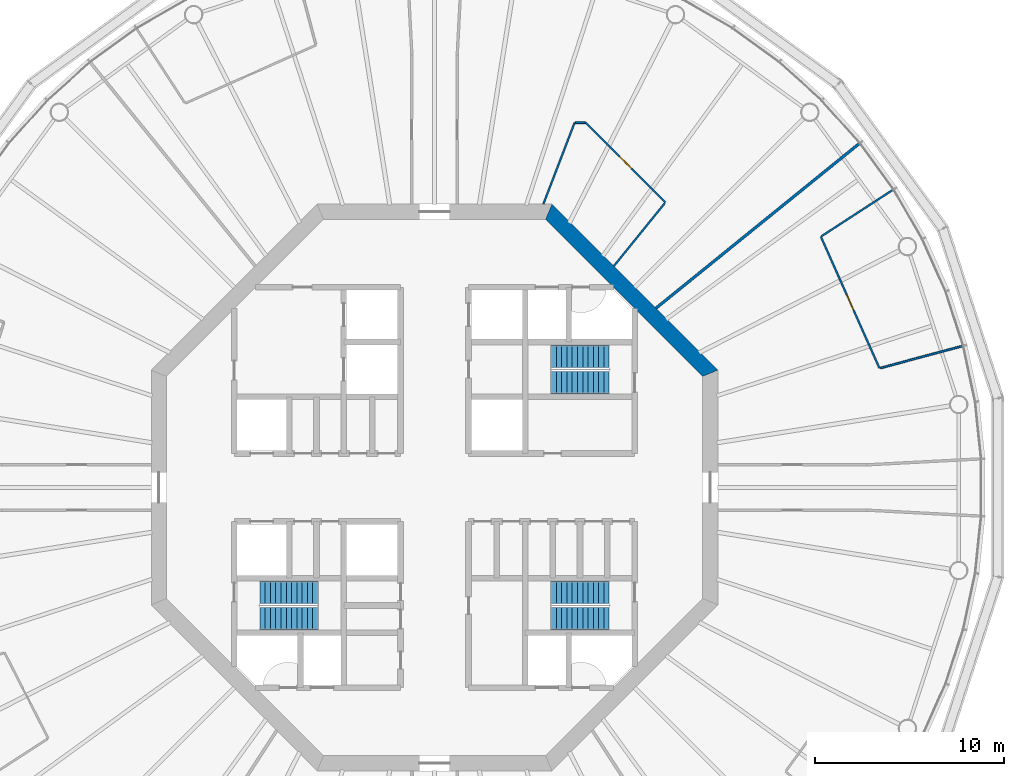
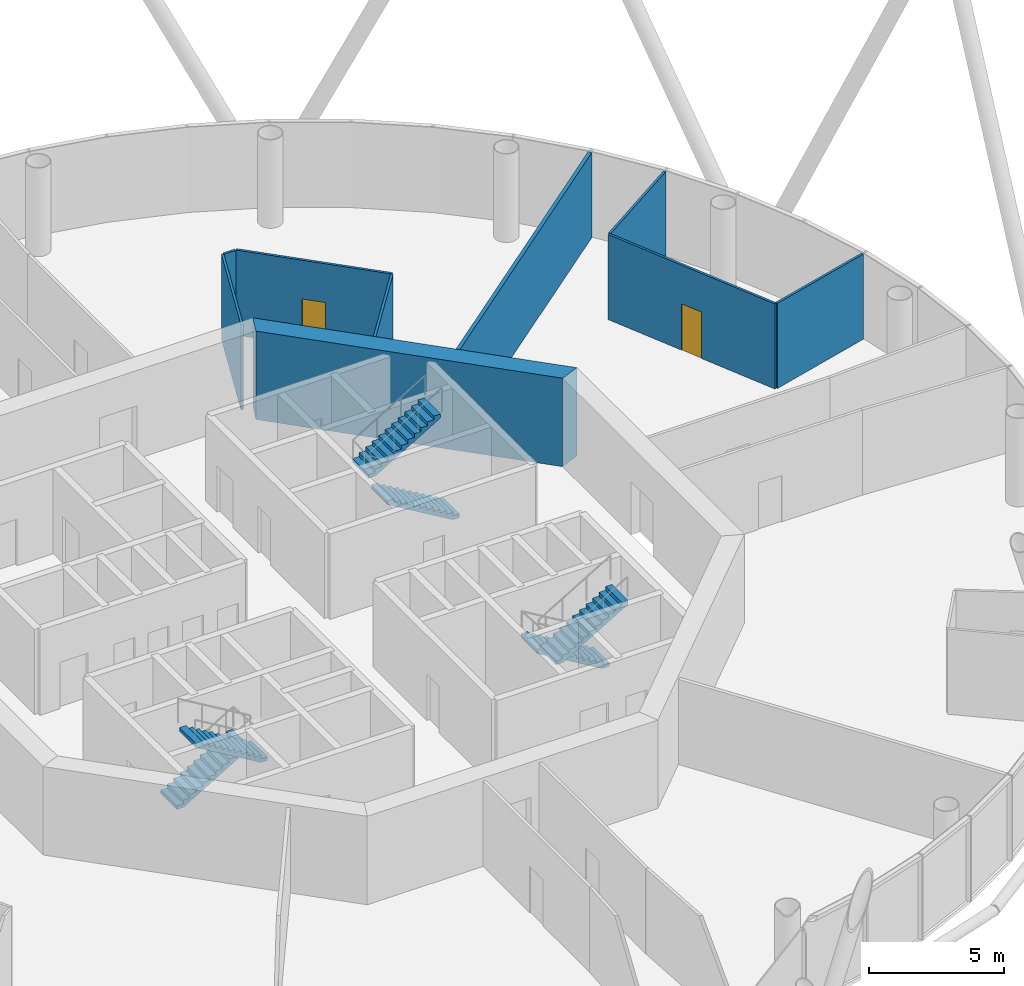
# One storey, part 6 of 13: 9 walls, 6 stair flights, 2 doors, 2 openings, 3 elements without a shape of their own.
"""IFC4 building model written with IfcOpenShell, lengths in metres."""

import ifcopenshell
import ifcopenshell.guid

model = None  # the IFC model being written
_history = None  # IfcOwnerHistory: only IFC2X3 demands one
_inside = {}  # id of a spatial element -> (the spatial element, [elements in it])
_under = {}  # id of a project, library or spatial element -> (it, [spatial elements below it])
_declared = {}  # id of a project -> (the project, [libraries it declares])
_typed = {}  # id of a type object -> (the type object, [elements of that type])
_made_of = {}  # id of a material, layer set ... -> (it, [elements and type objects made of it])


def new_model(schema):
    """Start an empty IFC model of exactly this schema.

    Asked for "IFC4X3", IfcOpenShell would pick the latest addendum, in which some entities
    have other attributes; the version numbers below select the first issue.
    IFC2X3 requires an IfcOwnerHistory on every rooted entity: one is made here for all.
    """
    global model, _history
    if schema == "IFC4X3":
        model = ifcopenshell.file(schema_version=(4, 3, 0, 0))
    else:
        model = ifcopenshell.file(schema=schema)
    _inside.clear()
    _under.clear()
    _declared.clear()
    _typed.clear()
    _made_of.clear()
    _history = None
    if model.schema == "IFC2X3":
        org = make("IfcOrganization", Name="unknown")
        user = make(
            "IfcPersonAndOrganization",
            ThePerson=make("IfcPerson", FamilyName="unknown"),
            TheOrganization=org,
        )
        app = make(
            "IfcApplication",
            ApplicationDeveloper=org,
            Version="unknown",
            ApplicationFullName="unknown",
            ApplicationIdentifier="unknown",
        )
        _history = make(
            "IfcOwnerHistory",
            OwningUser=user,
            OwningApplication=app,
            ChangeAction="ADDED",
            CreationDate=0,
        )
    return model


def make(cls, **values):
    """One entity of the class cls with the attributes given. An attribute that is None is left unset."""
    return model.create_entity(
        cls, **{name: value for name, value in values.items() if value is not None}
    )


def rooted(cls, **values):
    """An entity with a GlobalId (a new one), such as an element, a storey or a relation."""
    return make(cls, GlobalId=ifcopenshell.guid.new(), OwnerHistory=_history, **values)


def si_unit(unit_type, name, prefix=None):
    """IfcSIUnit, for example si_unit("LENGTHUNIT", "METRE", prefix="MILLI")."""
    return make("IfcSIUnit", UnitType=unit_type, Prefix=prefix, Name=name)


def assignment(units):
    """IfcUnitAssignment: the units of a project."""
    return None if units is None else make("IfcUnitAssignment", Units=units)


def point(xyz):
    """IfcCartesianPoint."""
    return None if xyz is None else make("IfcCartesianPoint", Coordinates=xyz)


def direction(xyz):
    """IfcDirection."""
    return None if xyz is None else make("IfcDirection", DirectionRatios=xyz)


def frame(location, z_axis=None, x_axis=None):
    """IfcAxis2Placement3D, a coordinate frame: its origin and axes. An axis left out is left unset."""
    return make(
        "IfcAxis2Placement3D",
        Location=point(location),
        Axis=direction(z_axis),
        RefDirection=direction(x_axis),
    )


def frame_2d(location, x_axis=None):
    """IfcAxis2Placement2D, a coordinate frame in the plane: its origin and x axis."""
    return make(
        "IfcAxis2Placement2D", Location=point(location), RefDirection=direction(x_axis)
    )


def origin():
    """The frame at (0, 0, 0) with its axes left unset."""
    return frame((0.0, 0.0, 0.0))


def place(relative_to, where):
    """IfcLocalPlacement: puts the frame where relative to a parent placement (None: the world)."""
    return make(
        "IfcLocalPlacement", PlacementRelTo=relative_to, RelativePlacement=where
    )


def context(
    kind, dimensions, precision=None, world=None, true_north=None, identifier=None
):
    """IfcGeometricRepresentationContext, for example the 3D "Model" context."""
    return make(
        "IfcGeometricRepresentationContext",
        ContextIdentifier=identifier,
        ContextType=kind,
        CoordinateSpaceDimension=dimensions,
        Precision=precision,
        WorldCoordinateSystem=world,
        TrueNorth=true_north,
    )


def subcontext(parent, identifier, kind, view, scale=None):
    """IfcGeometricRepresentationSubContext, for example "Body" below "Model"."""
    return make(
        "IfcGeometricRepresentationSubContext",
        ContextIdentifier=identifier,
        ContextType=kind,
        ParentContext=parent,
        TargetScale=scale,
        TargetView=view,
    )


def project(units=None, contexts=None):
    """IfcProject with its units and contexts."""
    return rooted(
        "IfcProject",
        Name="project",
        RepresentationContexts=contexts,
        UnitsInContext=assignment(units),
    )


def spatial(cls, under=None, at=None, **own):
    """A site, building, storey or space (cls), placed at a placement, below another one or the project."""
    s = rooted(cls, ObjectPlacement=at, **own)
    if under is not None:
        _under.setdefault(under.id(), (under, []))[1].append(s)
    return s


def polyline(points):
    """IfcPolyline through the points."""
    return make("IfcPolyline", Points=[point(p) for p in points])


def profile(cls, at=None, kind="AREA", **sizes):
    """A parametric profile (cls). Its sizes go by their IFC names, for example OverallWidth=200.0."""
    return make(cls, ProfileType=kind, Position=at, **sizes)


def rectangle(**sizes):
    """IfcRectangleProfileDef."""
    return profile("IfcRectangleProfileDef", **sizes)


def outline(outer, holes=None, kind="AREA"):
    """IfcArbitraryClosedProfileDef: a profile drawn as a closed curve; with holes, ...WithVoids."""
    if holes is None:
        return make("IfcArbitraryClosedProfileDef", ProfileType=kind, OuterCurve=outer)
    return make(
        "IfcArbitraryProfileDefWithVoids",
        ProfileType=kind,
        OuterCurve=outer,
        InnerCurves=holes,
    )


def extrude(swept, where, along, depth):
    """IfcExtrudedAreaSolid: the profile swept, set in the frame where, extruded along a direction by depth."""
    return make(
        "IfcExtrudedAreaSolid",
        SweptArea=swept,
        Position=where,
        ExtrudedDirection=direction(along),
        Depth=depth,
    )


def shape(context_of_items, identifier, shape_type, items):
    """IfcShapeRepresentation: the items that make up one representation, for example the "Body"."""
    return make(
        "IfcShapeRepresentation",
        ContextOfItems=context_of_items,
        RepresentationIdentifier=identifier,
        RepresentationType=shape_type,
        Items=items,
    )


def material(Name=None, Category=None):
    """IfcMaterial."""
    return make("IfcMaterial", Name=Name, Category=Category)


def layer(
    of_material, thickness, ventilated=None, Name=None, Category=None, Priority=None
):
    """IfcMaterialLayer: one layer of a wall or slab, of a material (None: an air gap)."""
    return make(
        "IfcMaterialLayer",
        Material=of_material,
        LayerThickness=thickness,
        IsVentilated=ventilated,
        Name=Name,
        Category=Category,
        Priority=Priority,
    )


def layer_set(layers, Name=None):
    """IfcMaterialLayerSet."""
    return make("IfcMaterialLayerSet", MaterialLayers=layers, LayerSetName=Name)


def made_of(thing, what):
    """Note that an element or type object is made of a material, layer set ...; save() writes the relation."""
    if what is not None:
        _made_of.setdefault(what.id(), (what, []))[1].append(thing)
    return thing


def type_object(cls, material=None, **own):
    """A type object (cls), such as IfcWallType, which elements share."""
    return made_of(rooted(cls, **own), material)


def element(
    cls,
    number,
    at=None,
    inside=None,
    cuts=None,
    type_object=None,
    material=None,
    context=None,
    identifier="Body",
    shape_type=None,
    held_by="IfcProductDefinitionShape",
    body=None,
    shapes=None,
    **own,
):
    """One element of the class cls, such as IfcWall. Its Tag is "e" and its number.

    at: its placement. inside: the storey or other place that contains it. cuts: it is an
    opening in that element (IfcRelVoidsElement). A single representation is given by context,
    identifier, shape_type and body (its items); several are given by shapes. held_by: the class
    of the entity that holds the representations. save() writes the other relations.
    """
    e = rooted(cls, Tag="e%d" % number, ObjectPlacement=at, **own)
    if body is not None:
        shapes = [shape(context, identifier, shape_type, body)]
    if shapes is not None:
        e.Representation = make(held_by, Representations=shapes)
    if inside is not None:
        _inside.setdefault(inside.id(), (inside, []))[1].append(e)
    if cuts is not None:
        rooted(
            "IfcRelVoidsElement", RelatingBuildingElement=cuts, RelatedOpeningElement=e
        )
    if type_object is not None:
        _typed.setdefault(type_object.id(), (type_object, []))[1].append(e)
    return made_of(e, material)


def fill(opening, filler):
    """IfcRelFillsElement: the door or window that sits in an opening."""
    return rooted(
        "IfcRelFillsElement",
        RelatingOpeningElement=opening,
        RelatedBuildingElement=filler,
    )


def aggregate(whole, parts):
    """IfcRelAggregates: a whole, such as a stair, and the parts it consists of."""
    return rooted("IfcRelAggregates", RelatingObject=whole, RelatedObjects=parts)


def save(model, path):
    """Write the relations noted so far, then the file.

    IfcRelAggregates (storeys below a building ...), IfcRelContainedInSpatialStructure (elements
    in a storey), IfcRelDefinesByType, IfcRelAssociatesMaterial and IfcRelDeclares: one each for
    every whole, place, type object, material and project.
    """
    for whole, parts in _under.values():
        aggregate(whole, parts)
    for where, things in _inside.values():
        rooted(
            "IfcRelContainedInSpatialStructure",
            RelatedElements=things,
            RelatingStructure=where,
        )
    for kind, things in _typed.values():
        rooted("IfcRelDefinesByType", RelatedObjects=things, RelatingType=kind)
    for what, things in _made_of.values():
        rooted("IfcRelAssociatesMaterial", RelatedObjects=things, RelatingMaterial=what)
    for by, libraries in _declared.values():
        rooted("IfcRelDeclares", RelatingContext=by, RelatedDefinitions=libraries)
    model.write(path)


model = new_model("IFC4")

# Units and contexts
model_context = context("Model", 3, precision=1e-05, world=origin(), true_north=direction((0.0, 1.0)))
body_context = subcontext(model_context, "Body", "Model", "MODEL_VIEW")
ifc_project = project(units=[si_unit("LENGTHUNIT", "METRE"), si_unit("AREAUNIT", "SQUARE_METRE"), si_unit("VOLUMEUNIT", "CUBIC_METRE"), si_unit("PLANEANGLEUNIT", "RADIAN"), si_unit("MASSUNIT", "GRAM", prefix="KILO")], contexts=[model_context])

# Site, building, storey
site_placement = place(None, origin())
site = spatial("IfcSite", under=ifc_project, at=site_placement, CompositionType="ELEMENT")
building_placement = place(site_placement, origin())
building = spatial("IfcBuilding", under=site, at=building_placement, Name="Entoto Ring Tower", CompositionType="ELEMENT")
storey_placement = place(building_placement, frame((0.0, 0.0, 310.0)))
storey = spatial("IfcBuildingStorey", under=building, at=storey_placement, Name="L71", CompositionType="ELEMENT", Elevation=310.0)

# Wall
ifc_material_1 = material(Name="Concrete C40/50", Category="concrete")
ifc_layer_1 = layer(ifc_material_1, 0.800048828125)
ifc_layer_set_1 = layer_set([ifc_layer_1], Name="Concrete C40/50")
wall_type_1 = type_object("IfcWallType", Name="Core shear wall 800 mm reinforced concrete C40/50", PredefinedType="SHEAR", material=ifc_layer_set_1)
wall_1_placement = place(storey_placement, frame((104.60009765625, 86.047607421875, 0.0), z_axis=(0.0, 0.0, 1.0), x_axis=(-0.707106781187, 0.707106781187, 0.0)))
element("IfcWall", 1, at=wall_1_placement, inside=storey, type_object=wall_type_1, Name="wall-L71-core-1", PredefinedType="SHEAR", context=body_context, shape_type="SweptSolid", body=[
    extrude(outline(polyline([(-0.165771484375, -0.39990234375), (12.2607421875, -0.39990234375), (11.92919921875, 0.39990234375), (0.165771484375, 0.39990234375), (-0.165771484375, -0.39990234375)])), origin(), (0.0, 0.0, 1.0), 4.0),
])

# Wall, opening, door
ifc_material_2 = material(Name="Plasterboard on steel studs", Category="steel")
ifc_layer_2 = layer(ifc_material_2, 0.10009765625)
ifc_layer_set_2 = layer_set([ifc_layer_2], Name="Plasterboard on steel studs")
wall_type_2 = type_object("IfcWallType", Name="Partition 100 mm plasterboard on steel studs", PredefinedType="PARTITIONING", material=ifc_layer_set_2)
wall_2_placement = place(storey_placement, frame((113.558837890625, 86.3125, 0.0), z_axis=(0.0, 0.0, 1.0), x_axis=(-0.406735044225, 0.913546169495, 0.0)))
wall_2 = element("IfcWall", 2, at=wall_2_placement, inside=storey, type_object=wall_type_2, Name="partition-L71-021", PredefinedType="PARTITIONING", context=body_context, shape_type="SweptSolid", body=[
    extrude(rectangle(XDim=7.630859375, YDim=0.10009765625, at=frame_2d((3.8154296875, 0.0))), origin(), (0.0, 0.0, 1.0), 3.85009765625),
])
opening_1_placement = place(wall_2_placement, frame((3.365478515625, 0.0, 0.0)))
opening_1 = element("IfcOpeningElement", 3, at=opening_1_placement, cuts=wall_2, Name="Opening A31-D02", PredefinedType="OPENING", context=body_context, shape_type="SweptSolid", body=[
    extrude(rectangle(XDim=0.89990234375, YDim=2.10009765625, at=frame_2d((0.449951171875, 1.050048828125))), frame((0.0, 0.06005859375, 0.0), z_axis=(0.0, -1.0, 0.0), x_axis=(1.0, 0.0, 0.0)), (0.0, 0.0, 1.0), 0.1201171875),
])
ifc_material_3 = material(Name="Veneered timber door leaf in timber frame", Category="wood")
door_type = type_object("IfcDoorType", Name="Door 900 x 2100 single leaf timber veneer", OperationType="NOTDEFINED", PredefinedType="DOOR", material=ifc_material_3)
door_1_placement = place(opening_1_placement, frame((0.89990234375, 0.0, 0.0), z_axis=(0.0, 0.0, 1.0), x_axis=(-1.0, 0.0, 0.0)))
door_1 = element("IfcDoor", 4, at=door_1_placement, inside=storey, type_object=door_type, Name="Door A31-D02", OperationType="SINGLE_SWING_RIGHT", OverallHeight=2.10009765625, OverallWidth=0.89990234375, PredefinedType="DOOR", context=body_context, shape_type="SweptSolid", body=[
    extrude(rectangle(XDim=0.89990234375, YDim=2.10009765625, at=frame_2d((0.449951171875, 1.050048828125))), frame((0.0, 0.02490234375, 0.0), z_axis=(0.0, -1.0, 0.0), x_axis=(1.0, 0.0, 0.0)), (0.0, 0.0, 1.0), 0.050048828125),
])
fill(opening_1, door_1)

wall_3_placement = place(storey_placement, frame((102.225341796875, 95.09716796875, 0.0), z_axis=(0.0, 0.0, 1.0), x_axis=(-0.707086340144, 0.707127221639, 0.0)))
wall_3 = element("IfcWall", 5, at=wall_3_placement, inside=storey, type_object=wall_type_2, Name="partition-L71-023", PredefinedType="PARTITIONING", context=body_context, shape_type="SweptSolid", body=[
    extrude(rectangle(XDim=5.971923828125, YDim=0.10009765625, at=frame_2d((2.98583984375, 0.0))), origin(), (0.0, 0.0, 1.0), 3.85009765625),
])
opening_2_placement = place(wall_3_placement, frame((2.535888671875, 0.0, 0.0)))
opening_2 = element("IfcOpeningElement", 6, at=opening_2_placement, cuts=wall_3, Name="Opening A31-D04", PredefinedType="OPENING", context=body_context, shape_type="SweptSolid", body=[
    extrude(rectangle(XDim=0.89990234375, YDim=2.10009765625, at=frame_2d((0.449951171875, 1.050048828125))), frame((0.0, 0.06005859375, 0.0), z_axis=(0.0, -1.0, 0.0), x_axis=(1.0, 0.0, 0.0)), (0.0, 0.0, 1.0), 0.1201171875),
])
door_2_placement = place(opening_2_placement, origin())
door_2 = element("IfcDoor", 7, at=door_2_placement, inside=storey, type_object=door_type, Name="Door A31-D04", OperationType="SINGLE_SWING_LEFT", OverallHeight=2.10009765625, OverallWidth=0.89990234375, PredefinedType="DOOR", context=body_context, shape_type="SweptSolid", body=[
    extrude(rectangle(XDim=0.89990234375, YDim=2.10009765625, at=frame_2d((0.449951171875, 1.050048828125))), frame((0.0, 0.02490234375, 0.0), z_axis=(0.0, -1.0, 0.0), x_axis=(1.0, 0.0, 0.0)), (0.0, 0.0, 1.0), 0.050048828125),
])
fill(opening_2, door_2)

# Walls
wall_4_placement = place(storey_placement, frame((95.758056640625, 95.0, 0.0), z_axis=(0.0, 0.0, 1.0), x_axis=(0.358346148345, 0.933588794902, 0.0)))
element("IfcWall", 8, at=wall_4_placement, inside=storey, type_object=wall_type_2, Name="partition-L71-029", PredefinedType="PARTITIONING", context=body_context, shape_type="SweptSolid", body=[
    extrude(rectangle(XDim=4.62744140625, YDim=0.10009765625, at=frame_2d((2.313720703125, 0.0))), origin(), (0.0, 0.0, 1.0), 3.85009765625),
])
wall_5_placement = place(storey_placement, frame((110.49658203125, 93.310546875, 0.0), z_axis=(0.0, 0.0, 1.0), x_axis=(0.838641858699, 0.544683240828, 0.0)))
element("IfcWall", 9, at=wall_5_placement, inside=storey, type_object=wall_type_2, Name="partition-L71-031", PredefinedType="PARTITIONING", context=body_context, shape_type="SweptSolid", body=[
    extrude(rectangle(XDim=4.500732421875, YDim=0.10009765625, at=frame_2d((2.25048828125, 0.0))), origin(), (0.0, 0.0, 1.0), 3.85009765625),
])
wall_6_placement = place(storey_placement, frame((113.606689453125, 86.325439453125, 0.0), z_axis=(0.0, 0.0, 1.0), x_axis=(0.965927227488, 0.2588138157, 0.0)))
element("IfcWall", 10, at=wall_6_placement, inside=storey, type_object=wall_type_2, Name="partition-L71-033", PredefinedType="PARTITIONING", context=body_context, shape_type="SweptSolid", body=[
    extrude(rectangle(XDim=4.50048828125, YDim=0.10009765625, at=frame_2d((2.250244140625, 0.0))), origin(), (0.0, 0.0, 1.0), 3.85009765625),
])
wall_7_placement = place(storey_placement, frame((99.49169921875, 91.721435546875, 0.0), z_axis=(0.0, 0.0, 1.0), x_axis=(0.629322521705, 0.777144236082, 0.0)))
element("IfcWall", 11, at=wall_7_placement, inside=storey, type_object=wall_type_2, Name="partition-L71-036", PredefinedType="PARTITIONING", context=body_context, shape_type="SweptSolid", body=[
    extrude(rectangle(XDim=4.294189453125, YDim=0.10009765625, at=frame_2d((2.14697265625, 0.0))), origin(), (0.0, 0.0, 1.0), 3.85009765625),
])
wall_8_placement = place(storey_placement, frame((97.462890625, 99.320068359375, 0.0), z_axis=(0.0, 0.0, 1.0), x_axis=(1.0, 0.0, 0.0)))
element("IfcWall", 12, at=wall_8_placement, inside=storey, type_object=wall_type_2, Name="partition-L71-039", PredefinedType="PARTITIONING", context=body_context, shape_type="SweptSolid", body=[
    extrude(rectangle(XDim=0.504638671875, YDim=0.10009765625, at=frame_2d((0.25244140625, 0.0))), origin(), (0.0, 0.0, 1.0), 3.85009765625),
])
ifc_material_4 = material(Name="Fire-resisting acoustic plasterboard on steel studs", Category="steel")
ifc_layer_3 = layer(ifc_material_4, 0.14990234375)
ifc_layer_set_3 = layer_set([ifc_layer_3], Name="Fire-resisting acoustic plasterboard on steel studs")
wall_type_3 = type_object("IfcWallType", Name="Party wall 150 mm one-hour acoustic plasterboard on steel studs", PredefinedType="PARTITIONING", material=ifc_layer_set_3)
wall_9_placement = place(storey_placement, frame((101.721435546875, 89.49169921875, 0.0), z_axis=(0.0, 0.0, 1.0), x_axis=(0.777142288207, 0.629324927109, 0.0)))
element("IfcWall", 13, at=wall_9_placement, inside=storey, type_object=wall_type_3, Name="partition-L71-018", PredefinedType="PARTITIONING", context=body_context, shape_type="SweptSolid", body=[
    extrude(rectangle(XDim=13.857177734375, YDim=0.14990234375, at=frame_2d((6.9287109375, 0.0))), origin(), (0.0, 0.0, 1.0), 3.85009765625),
])

# Stair, stair flights
ifc_material_5 = material(Name="Concrete C40/50", Category="concrete")
stair_type = type_object("IfcStairType", Name="Exit stair 1200 mm dog-leg reinforced concrete", PredefinedType="HALF_TURN_STAIR", material=ifc_material_5)
stair_1_placement = place(storey_placement, origin())
stair_1 = element("IfcStair", 14, at=stair_1_placement, inside=storey, type_object=stair_type, Name="Exit stair 1", PredefinedType="HALF_TURN_STAIR")
ifc_material_6 = material(Name="Concrete C40/50", Category="concrete")
stair_flight_type = type_object("IfcStairFlightType", Name="Stair flight 1200 mm reinforced concrete", PredefinedType="STRAIGHT", material=ifc_material_6)
stair_flight_1_placement = place(storey_placement, frame((99.25, 85.550048828125, 0.0), z_axis=(0.0, 0.0, 1.0), x_axis=(-1.0, 0.0, 0.0)))
stair_flight_1 = element("IfcStairFlight", 15, at=stair_flight_1_placement, type_object=stair_flight_type, Name="ST1 flight 1", NumberOfRisers=12, NumberOfTreads=11, PredefinedType="STRAIGHT", RiserHeight=0.166666667, TreadLength=0.28, context=body_context, shape_type="SweptSolid", body=[
    extrude(outline(polyline([(0.0, 0.0), (0.0, 0.166748046875), (0.280029296875, 0.166748046875), (0.280029296875, 0.333251953125), (0.56005859375, 0.333251953125), (0.56005859375, 0.5), (0.840087890625, 0.5), (0.840087890625, 0.666748046875), (1.1201171875, 0.666748046875), (1.1201171875, 0.833251953125), (1.39990234375, 0.833251953125), (1.39990234375, 1.0), (1.679931640625, 1.0), (1.679931640625, 1.166748046875), (1.9599609375, 1.166748046875), (1.9599609375, 1.333251953125), (2.239990234375, 1.333251953125), (2.239990234375, 1.5), (2.52001953125, 1.5), (2.52001953125, 1.666748046875), (2.800048828125, 1.666748046875), (2.800048828125, 1.833251953125), (3.080078125, 1.833251953125), (3.080078125, 2.0), (3.080078125, 1.658935546875), (0.29296875, 0.0), (0.0, 0.0)])), frame((0.0, 0.60009765625, 0.0), z_axis=(0.0, -1.0, 0.0), x_axis=(1.0, 0.0, 0.0)), (0.0, 0.0, 1.0), 1.199951171875),
])
stair_flight_2_placement = place(storey_placement, frame((96.169921875, 86.949951171875, 2.0), z_axis=(0.0, 0.0, 1.0), x_axis=(1.0, 0.0, 0.0)))
stair_flight_2 = element("IfcStairFlight", 16, at=stair_flight_2_placement, type_object=stair_flight_type, Name="ST1 flight 2", NumberOfRisers=12, NumberOfTreads=11, PredefinedType="STRAIGHT", RiserHeight=0.166666667, TreadLength=0.28, context=body_context, shape_type="SweptSolid", body=[
    extrude(outline(polyline([(0.0, 0.0), (0.0, 0.166748046875), (0.280029296875, 0.166748046875), (0.280029296875, 0.333251953125), (0.56005859375, 0.333251953125), (0.56005859375, 0.5), (0.840087890625, 0.5), (0.840087890625, 0.666748046875), (1.1201171875, 0.666748046875), (1.1201171875, 0.833251953125), (1.39990234375, 0.833251953125), (1.39990234375, 1.0), (1.679931640625, 1.0), (1.679931640625, 1.166748046875), (1.9599609375, 1.166748046875), (1.9599609375, 1.333251953125), (2.239990234375, 1.333251953125), (2.239990234375, 1.5), (2.52001953125, 1.5), (2.52001953125, 1.666748046875), (2.800048828125, 1.666748046875), (2.800048828125, 1.833251953125), (3.080078125, 1.833251953125), (3.080078125, 2.0), (3.080078125, 1.658935546875), (0.29296875, 0.0), (0.0, 0.0)])), frame((0.0, 0.60009765625, 0.0), z_axis=(0.0, -1.0, 0.0), x_axis=(1.0, 0.0, 0.0)), (0.0, 0.0, 1.0), 1.199951171875),
])
aggregate(stair_1, [stair_flight_1, stair_flight_2])

stair_2_placement = place(storey_placement, origin())
stair_2 = element("IfcStair", 17, at=stair_2_placement, inside=storey, type_object=stair_type, Name="Exit stair 2", PredefinedType="HALF_TURN_STAIR")
stair_flight_3_placement = place(storey_placement, frame((80.75, 74.449951171875, 0.0), z_axis=(0.0, 0.0, 1.0), x_axis=(1.0, 0.0, 0.0)))
stair_flight_3 = element("IfcStairFlight", 18, at=stair_flight_3_placement, type_object=stair_flight_type, Name="ST2 flight 1", NumberOfRisers=12, NumberOfTreads=11, PredefinedType="STRAIGHT", RiserHeight=0.166666667, TreadLength=0.28, context=body_context, shape_type="SweptSolid", body=[
    extrude(outline(polyline([(0.0, 0.0), (0.0, 0.166748046875), (0.280029296875, 0.166748046875), (0.280029296875, 0.333251953125), (0.56005859375, 0.333251953125), (0.56005859375, 0.5), (0.840087890625, 0.5), (0.840087890625, 0.666748046875), (1.1201171875, 0.666748046875), (1.1201171875, 0.833251953125), (1.39990234375, 0.833251953125), (1.39990234375, 1.0), (1.679931640625, 1.0), (1.679931640625, 1.166748046875), (1.9599609375, 1.166748046875), (1.9599609375, 1.333251953125), (2.239990234375, 1.333251953125), (2.239990234375, 1.5), (2.52001953125, 1.5), (2.52001953125, 1.666748046875), (2.800048828125, 1.666748046875), (2.800048828125, 1.833251953125), (3.080078125, 1.833251953125), (3.080078125, 2.0), (3.080078125, 1.658935546875), (0.29296875, 0.0), (0.0, 0.0)])), frame((0.0, 0.60009765625, 0.0), z_axis=(0.0, -1.0, 0.0), x_axis=(1.0, 0.0, 0.0)), (0.0, 0.0, 1.0), 1.199951171875),
])
stair_flight_4_placement = place(storey_placement, frame((83.830078125, 73.050048828125, 2.0), z_axis=(0.0, 0.0, 1.0), x_axis=(-1.0, 0.0, 0.0)))
stair_flight_4 = element("IfcStairFlight", 19, at=stair_flight_4_placement, type_object=stair_flight_type, Name="ST2 flight 2", NumberOfRisers=12, NumberOfTreads=11, PredefinedType="STRAIGHT", RiserHeight=0.166666667, TreadLength=0.28, context=body_context, shape_type="SweptSolid", body=[
    extrude(outline(polyline([(0.0, 0.0), (0.0, 0.166748046875), (0.280029296875, 0.166748046875), (0.280029296875, 0.333251953125), (0.56005859375, 0.333251953125), (0.56005859375, 0.5), (0.840087890625, 0.5), (0.840087890625, 0.666748046875), (1.1201171875, 0.666748046875), (1.1201171875, 0.833251953125), (1.39990234375, 0.833251953125), (1.39990234375, 1.0), (1.679931640625, 1.0), (1.679931640625, 1.166748046875), (1.9599609375, 1.166748046875), (1.9599609375, 1.333251953125), (2.239990234375, 1.333251953125), (2.239990234375, 1.5), (2.52001953125, 1.5), (2.52001953125, 1.666748046875), (2.800048828125, 1.666748046875), (2.800048828125, 1.833251953125), (3.080078125, 1.833251953125), (3.080078125, 2.0), (3.080078125, 1.658935546875), (0.29296875, 0.0), (0.0, 0.0)])), frame((0.0, 0.60009765625, 0.0), z_axis=(0.0, -1.0, 0.0), x_axis=(1.0, 0.0, 0.0)), (0.0, 0.0, 1.0), 1.199951171875),
])
aggregate(stair_2, [stair_flight_3, stair_flight_4])

stair_3_placement = place(storey_placement, origin())
stair_3 = element("IfcStair", 20, at=stair_3_placement, inside=storey, type_object=stair_type, Name="Exit stair 3", PredefinedType="HALF_TURN_STAIR")
stair_flight_5_placement = place(storey_placement, frame((99.25, 74.449951171875, 0.0), z_axis=(0.0, 0.0, 1.0), x_axis=(-1.0, 0.0, 0.0)))
stair_flight_5 = element("IfcStairFlight", 21, at=stair_flight_5_placement, type_object=stair_flight_type, Name="ST3 flight 1", NumberOfRisers=12, NumberOfTreads=11, PredefinedType="STRAIGHT", RiserHeight=0.166666667, TreadLength=0.28, context=body_context, shape_type="SweptSolid", body=[
    extrude(outline(polyline([(0.0, 0.0), (0.0, 0.166748046875), (0.280029296875, 0.166748046875), (0.280029296875, 0.333251953125), (0.56005859375, 0.333251953125), (0.56005859375, 0.5), (0.840087890625, 0.5), (0.840087890625, 0.666748046875), (1.1201171875, 0.666748046875), (1.1201171875, 0.833251953125), (1.39990234375, 0.833251953125), (1.39990234375, 1.0), (1.679931640625, 1.0), (1.679931640625, 1.166748046875), (1.9599609375, 1.166748046875), (1.9599609375, 1.333251953125), (2.239990234375, 1.333251953125), (2.239990234375, 1.5), (2.52001953125, 1.5), (2.52001953125, 1.666748046875), (2.800048828125, 1.666748046875), (2.800048828125, 1.833251953125), (3.080078125, 1.833251953125), (3.080078125, 2.0), (3.080078125, 1.658935546875), (0.29296875, 0.0), (0.0, 0.0)])), frame((0.0, 0.60009765625, 0.0), z_axis=(0.0, -1.0, 0.0), x_axis=(1.0, 0.0, 0.0)), (0.0, 0.0, 1.0), 1.199951171875),
])
stair_flight_6_placement = place(storey_placement, frame((96.169921875, 73.050048828125, 2.0), z_axis=(0.0, 0.0, 1.0), x_axis=(1.0, 0.0, 0.0)))
stair_flight_6 = element("IfcStairFlight", 22, at=stair_flight_6_placement, type_object=stair_flight_type, Name="ST3 flight 2", NumberOfRisers=12, NumberOfTreads=11, PredefinedType="STRAIGHT", RiserHeight=0.166666667, TreadLength=0.28, context=body_context, shape_type="SweptSolid", body=[
    extrude(outline(polyline([(0.0, 0.0), (0.0, 0.166748046875), (0.280029296875, 0.166748046875), (0.280029296875, 0.333251953125), (0.56005859375, 0.333251953125), (0.56005859375, 0.5), (0.840087890625, 0.5), (0.840087890625, 0.666748046875), (1.1201171875, 0.666748046875), (1.1201171875, 0.833251953125), (1.39990234375, 0.833251953125), (1.39990234375, 1.0), (1.679931640625, 1.0), (1.679931640625, 1.166748046875), (1.9599609375, 1.166748046875), (1.9599609375, 1.333251953125), (2.239990234375, 1.333251953125), (2.239990234375, 1.5), (2.52001953125, 1.5), (2.52001953125, 1.666748046875), (2.800048828125, 1.666748046875), (2.800048828125, 1.833251953125), (3.080078125, 1.833251953125), (3.080078125, 2.0), (3.080078125, 1.658935546875), (0.29296875, 0.0), (0.0, 0.0)])), frame((0.0, 0.60009765625, 0.0), z_axis=(0.0, -1.0, 0.0), x_axis=(1.0, 0.0, 0.0)), (0.0, 0.0, 1.0), 1.199951171875),
])
aggregate(stair_3, [stair_flight_5, stair_flight_6])

save(model, "model.ifc")
